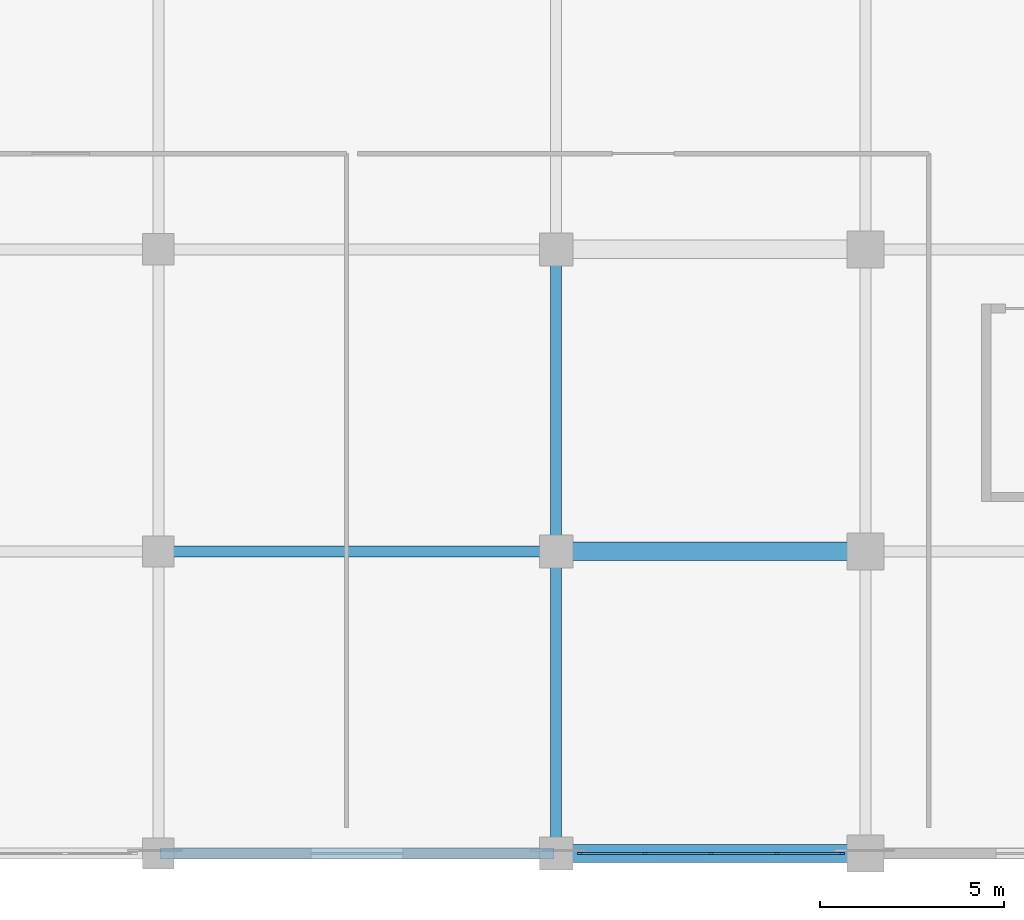
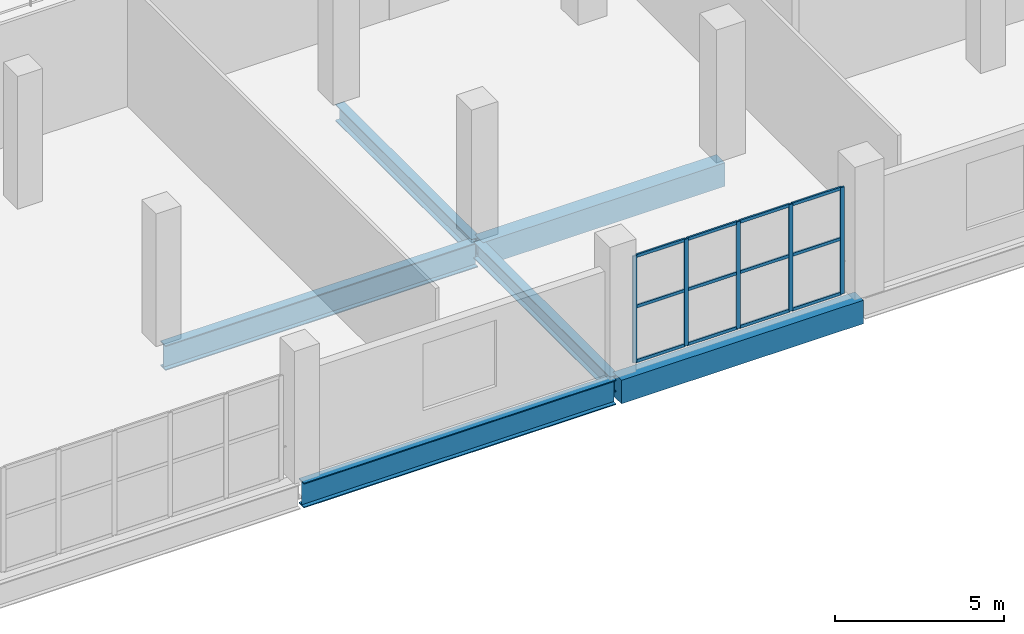
# One storey, part 15 of 142: 17 members, 6 beams, 1 element without a shape of its own.
"""IFC4 building model written with IfcOpenShell, lengths in metres."""

from ifc_helpers import new_model, si_unit, direction, frame, origin, origin_2d, place, context, subcontext, project, spatial, rectangle, i_section, extrude, material, material_profile, profile_set, type_object, element, aggregate, save


model = new_model("IFC4")

# Units and contexts
model_context = context("Model", 3, precision=1e-05, world=origin(), true_north=direction((0.0, 1.0)))
body_context = subcontext(model_context, "Body", "Model", "MODEL_VIEW")
ifc_project = project(units=[si_unit("LENGTHUNIT", "METRE"), si_unit("AREAUNIT", "SQUARE_METRE"), si_unit("VOLUMEUNIT", "CUBIC_METRE"), si_unit("PLANEANGLEUNIT", "RADIAN"), si_unit("MASSUNIT", "GRAM", prefix="KILO")], contexts=[model_context])

# Site, building, storey
site_placement = place(None, origin())
site = spatial("IfcSite", under=ifc_project, at=site_placement, CompositionType="ELEMENT")
building_placement = place(site_placement, origin())
building = spatial("IfcBuilding", under=site, at=building_placement, Name="Koshinbarg Plaza Stadium", CompositionType="ELEMENT")
storey_placement = place(building_placement, frame((0.0, 0.0, 10.199951171875)))
storey = spatial("IfcBuildingStorey", under=building, at=storey_placement, Name="L02", CompositionType="ELEMENT", Elevation=10.199951171875)

# Beams
ifc_material_1 = material(Name="Concrete C40/50", Category="concrete")
ifc_material_profile_1 = material_profile(ifc_material_1, rectangle(XDim=0.5, YDim=0.85009765625, at=origin_2d()), Name="RC 500x850")
ifc_profile_set_1 = profile_set([ifc_material_profile_1], Name="Concrete C40/50")
beam_type_1 = type_object("IfcBeamType", Name="BM-RCG-05", PredefinedType="USERDEFINED", material=ifc_profile_set_1)
for number, where, z_axis, x_axis, name in (
    (1, (46.260009765625, 0.0, -0.724853515625), (1.0, 0.0, 0.0), (0.0, 1.0, 0.0), "L02 X girder A/7-8"),
    (2, (46.260009765625, 8.199951171875, -0.724853515625), (1.0, 0.0, 0.0), (0.0, 1.0, 0.0), "L02 X girder B/7-8"),
):
    element("IfcBeam", number, at=place(storey_placement, frame(where, z_axis=z_axis, x_axis=x_axis)), inside=storey, type_object=beam_type_1, Name=name, ObjectType="GIRDER", PredefinedType="USERDEFINED", context=body_context, shape_type="SweptSolid", body=[
        extrude(rectangle(XDim=0.5, YDim=0.85009765625, at=origin_2d()), origin(), (0.0, 0.0, 1.0), 8.280029296875),
    ])
ifc_material_2 = material(Name="Steel S355", Category="steel")
ifc_material_profile_2 = material_profile(ifc_material_2, i_section(OverallWidth=0.300048828125, OverallDepth=0.60009765625, WebThickness=0.015380859375, FlangeThickness=0.030029296875, at=origin_2d()), Name="HEB 600")
ifc_profile_set_2 = profile_set([ifc_material_profile_2], Name="Steel S355")
beam_type_2 = type_object("IfcBeamType", Name="BM-SGIR-02", PredefinedType="USERDEFINED", material=ifc_profile_set_2)
beam_1_placement = place(storey_placement, frame((46.199951171875, 0.06005859375, -0.599853515625), z_axis=(0.0, 1.0, 0.0), x_axis=(-1.0, 0.0, 0.0)))
element("IfcBeam", 3, at=beam_1_placement, inside=storey, type_object=beam_type_2, Name="L02 Y girder 7/A-B", ObjectType="GIRDER", PredefinedType="USERDEFINED", context=body_context, shape_type="SweptSolid", body=[
    extrude(i_section(OverallWidth=0.300048828125, OverallDepth=0.60009765625, WebThickness=0.015380859375, FlangeThickness=0.030029296875, at=origin_2d()), origin(), (0.0, 0.0, 1.0), 8.079833984375),
])
beam_2_placement = place(storey_placement, frame((46.199951171875, 8.260009765625, -0.599853515625), z_axis=(0.0, 1.0, 0.0), x_axis=(-1.0, 0.0, 0.0)))
element("IfcBeam", 4, at=beam_2_placement, inside=storey, type_object=beam_type_2, Name="L02 Y girder 7/B-C", ObjectType="GIRDER", PredefinedType="USERDEFINED", context=body_context, shape_type="SweptSolid", body=[
    extrude(i_section(OverallWidth=0.300048828125, OverallDepth=0.60009765625, WebThickness=0.015380859375, FlangeThickness=0.030029296875, at=origin_2d()), origin(), (0.0, 0.0, 1.0), 8.080078125),
])
ifc_material_profile_3 = material_profile(ifc_material_2, i_section(OverallWidth=0.300048828125, OverallDepth=0.89990234375, WebThickness=0.0185546875, FlangeThickness=0.034912109375, at=origin_2d()), Name="HEB 900")
ifc_profile_set_3 = profile_set([ifc_material_profile_3], Name="Steel S355")
beam_type_3 = type_object("IfcBeamType", Name="BM-SGIR-05", PredefinedType="USERDEFINED", material=ifc_profile_set_3)
for number, where, z_axis, x_axis, name in (
    (5, (35.4599609375, 0.0, -0.75), (1.0, 0.0, 0.0), (0.0, 1.0, 0.0), "L02 X girder A/6-7"),
    (6, (35.4599609375, 8.199951171875, -0.75), (1.0, 0.0, 0.0), (0.0, 1.0, 0.0), "L02 X girder B/6-7"),
):
    element("IfcBeam", number, at=place(storey_placement, frame(where, z_axis=z_axis, x_axis=x_axis)), inside=storey, type_object=beam_type_3, Name=name, ObjectType="GIRDER", PredefinedType="USERDEFINED", context=body_context, shape_type="SweptSolid", body=[
        extrude(i_section(OverallWidth=0.300048828125, OverallDepth=0.89990234375, WebThickness=0.0185546875, FlangeThickness=0.034912109375, at=origin_2d()), origin(), (0.0, 0.0, 1.0), 10.679931640625),
    ])

# Curtain wall, members
ifc_material_3 = material(Name="Thermally broken anodised aluminium and low-E double glazing", Category="aluminium")
curtain_wall_type = type_object("IfcCurtainWallType", Name="CW-SYS-05", PredefinedType="NOTDEFINED", material=ifc_material_3)
curtain_wall_placement = place(storey_placement, origin())
curtain_wall = element("IfcCurtainWall", 7, at=curtain_wall_placement, inside=storey, type_object=curtain_wall_type, Name="L02 unitised curtain wall CW-L02-068", PredefinedType="NOTDEFINED")
ifc_material_4 = material(Name="Anodised aluminium mullion", Category="aluminium")
ifc_material_profile_4 = material_profile(ifc_material_4, rectangle(XDim=0.06005859375, YDim=0.139892578125, at=origin_2d()), Name="ALU 60x140")
ifc_profile_set_4 = profile_set([ifc_material_profile_4], Name="Anodised aluminium mullion")
member_type_1 = type_object("IfcMemberType", Name="CW-MUL-01", PredefinedType="MULLION", material=ifc_profile_set_4)
member_1_placement = place(storey_placement, frame((53.949951171875, 0.0, 0.0), z_axis=(0.0, 0.0, 1.0), x_axis=(0.0, -1.0, 0.0)))
member_1 = element("IfcMember", 8, at=member_1_placement, type_object=member_type_1, Name="CW05 mullion 1", PredefinedType="MULLION", context=body_context, shape_type="SweptSolid", body=[
    extrude(rectangle(XDim=0.06005859375, YDim=0.139892578125, at=origin_2d()), origin(), (0.0, 0.0, 1.0), 3.860107421875),
])
member_2_placement = place(storey_placement, frame((52.18994140625, 0.0, 0.0), z_axis=(0.0, 0.0, 1.0), x_axis=(0.0, -1.0, 0.0)))
member_2 = element("IfcMember", 9, at=member_2_placement, type_object=member_type_1, Name="CW05 mullion 2", PredefinedType="MULLION", context=body_context, shape_type="SweptSolid", body=[
    extrude(rectangle(XDim=0.06005859375, YDim=0.139892578125, at=origin_2d()), origin(), (0.0, 0.0, 1.0), 3.860107421875),
])
member_3_placement = place(storey_placement, frame((50.39990234375, 0.0, 0.0), z_axis=(0.0, 0.0, 1.0), x_axis=(0.0, -1.0, 0.0)))
member_3 = element("IfcMember", 10, at=member_3_placement, type_object=member_type_1, Name="CW05 mullion 3", PredefinedType="MULLION", context=body_context, shape_type="SweptSolid", body=[
    extrude(rectangle(XDim=0.06005859375, YDim=0.139892578125, at=origin_2d()), origin(), (0.0, 0.0, 1.0), 3.860107421875),
])
member_4_placement = place(storey_placement, frame((48.610107421875, 0.0, 0.0), z_axis=(0.0, 0.0, 1.0), x_axis=(0.0, -1.0, 0.0)))
member_4 = element("IfcMember", 11, at=member_4_placement, type_object=member_type_1, Name="CW05 mullion 4", PredefinedType="MULLION", context=body_context, shape_type="SweptSolid", body=[
    extrude(rectangle(XDim=0.06005859375, YDim=0.139892578125, at=origin_2d()), origin(), (0.0, 0.0, 1.0), 3.860107421875),
])
member_5_placement = place(storey_placement, frame((46.85009765625, 0.0, 0.0), z_axis=(0.0, 0.0, 1.0), x_axis=(0.0, -1.0, 0.0)))
member_5 = element("IfcMember", 12, at=member_5_placement, type_object=member_type_1, Name="CW05 mullion 5", PredefinedType="MULLION", context=body_context, shape_type="SweptSolid", body=[
    extrude(rectangle(XDim=0.06005859375, YDim=0.139892578125, at=origin_2d()), origin(), (0.0, 0.0, 1.0), 3.860107421875),
])
ifc_material_5 = material(Name="Anodised aluminium transom", Category="aluminium")
ifc_material_profile_5 = material_profile(ifc_material_5, rectangle(XDim=0.06005859375, YDim=0.110107421875, at=origin_2d()), Name="ALU 60x110")
ifc_profile_set_5 = profile_set([ifc_material_profile_5], Name="Anodised aluminium transom")
member_type_2 = type_object("IfcMemberType", Name="CW-TRN-01", PredefinedType="USERDEFINED", material=ifc_profile_set_5)
member_6_placement = place(storey_placement, frame((53.919921875, 0.0, 0.030029296875), z_axis=(-1.0, 0.0, 0.0), x_axis=(0.0, -1.0, 0.0)))
member_6 = element("IfcMember", 13, at=member_6_placement, type_object=member_type_2, Name="CW05 transom 1.1", ObjectType="TRANSOM", PredefinedType="USERDEFINED", context=body_context, shape_type="SweptSolid", body=[
    extrude(rectangle(XDim=0.06005859375, YDim=0.110107421875, at=origin_2d()), origin(), (0.0, 0.0, 1.0), 1.699951171875),
])
member_7_placement = place(storey_placement, frame((53.919921875, 0.0, 2.00732421875), z_axis=(-1.0, 0.0, 0.0), x_axis=(0.0, -1.0, 0.0)))
member_7 = element("IfcMember", 14, at=member_7_placement, type_object=member_type_2, Name="CW05 transom 1.2", ObjectType="TRANSOM", PredefinedType="USERDEFINED", context=body_context, shape_type="SweptSolid", body=[
    extrude(rectangle(XDim=0.06005859375, YDim=0.110107421875, at=origin_2d()), origin(), (0.0, 0.0, 1.0), 1.699951171875),
])
member_8_placement = place(storey_placement, frame((53.919921875, 0.0, 3.830078125), z_axis=(-1.0, 0.0, 0.0), x_axis=(0.0, -1.0, 0.0)))
member_8 = element("IfcMember", 15, at=member_8_placement, type_object=member_type_2, Name="CW05 transom 1.3", ObjectType="TRANSOM", PredefinedType="USERDEFINED", context=body_context, shape_type="SweptSolid", body=[
    extrude(rectangle(XDim=0.06005859375, YDim=0.110107421875, at=origin_2d()), origin(), (0.0, 0.0, 1.0), 1.699951171875),
])
member_9_placement = place(storey_placement, frame((52.159912109375, 0.0, 0.030029296875), z_axis=(-1.0, 0.0, 0.0), x_axis=(0.0, -1.0, 0.0)))
member_9 = element("IfcMember", 16, at=member_9_placement, type_object=member_type_2, Name="CW05 transom 2.1", ObjectType="TRANSOM", PredefinedType="USERDEFINED", context=body_context, shape_type="SweptSolid", body=[
    extrude(rectangle(XDim=0.06005859375, YDim=0.110107421875, at=origin_2d()), origin(), (0.0, 0.0, 1.0), 1.72998046875),
])
member_10_placement = place(storey_placement, frame((52.159912109375, 0.0, 2.00732421875), z_axis=(-1.0, 0.0, 0.0), x_axis=(0.0, -1.0, 0.0)))
member_10 = element("IfcMember", 17, at=member_10_placement, type_object=member_type_2, Name="CW05 transom 2.2", ObjectType="TRANSOM", PredefinedType="USERDEFINED", context=body_context, shape_type="SweptSolid", body=[
    extrude(rectangle(XDim=0.06005859375, YDim=0.110107421875, at=origin_2d()), origin(), (0.0, 0.0, 1.0), 1.72998046875),
])
member_11_placement = place(storey_placement, frame((52.159912109375, 0.0, 3.830078125), z_axis=(-1.0, 0.0, 0.0), x_axis=(0.0, -1.0, 0.0)))
member_11 = element("IfcMember", 18, at=member_11_placement, type_object=member_type_2, Name="CW05 transom 2.3", ObjectType="TRANSOM", PredefinedType="USERDEFINED", context=body_context, shape_type="SweptSolid", body=[
    extrude(rectangle(XDim=0.06005859375, YDim=0.110107421875, at=origin_2d()), origin(), (0.0, 0.0, 1.0), 1.72998046875),
])
member_12_placement = place(storey_placement, frame((50.3701171875, 0.0, 0.030029296875), z_axis=(-1.0, 0.0, 0.0), x_axis=(0.0, -1.0, 0.0)))
member_12 = element("IfcMember", 19, at=member_12_placement, type_object=member_type_2, Name="CW05 transom 3.1", ObjectType="TRANSOM", PredefinedType="USERDEFINED", context=body_context, shape_type="SweptSolid", body=[
    extrude(rectangle(XDim=0.06005859375, YDim=0.110107421875, at=origin_2d()), origin(), (0.0, 0.0, 1.0), 1.730224609375),
])
member_13_placement = place(storey_placement, frame((50.3701171875, 0.0, 2.00732421875), z_axis=(-1.0, 0.0, 0.0), x_axis=(0.0, -1.0, 0.0)))
member_13 = element("IfcMember", 20, at=member_13_placement, type_object=member_type_2, Name="CW05 transom 3.2", ObjectType="TRANSOM", PredefinedType="USERDEFINED", context=body_context, shape_type="SweptSolid", body=[
    extrude(rectangle(XDim=0.06005859375, YDim=0.110107421875, at=origin_2d()), origin(), (0.0, 0.0, 1.0), 1.730224609375),
])
member_14_placement = place(storey_placement, frame((50.3701171875, 0.0, 3.830078125), z_axis=(-1.0, 0.0, 0.0), x_axis=(0.0, -1.0, 0.0)))
member_14 = element("IfcMember", 21, at=member_14_placement, type_object=member_type_2, Name="CW05 transom 3.3", ObjectType="TRANSOM", PredefinedType="USERDEFINED", context=body_context, shape_type="SweptSolid", body=[
    extrude(rectangle(XDim=0.06005859375, YDim=0.110107421875, at=origin_2d()), origin(), (0.0, 0.0, 1.0), 1.730224609375),
])
member_15_placement = place(storey_placement, frame((48.580078125, 0.0, 0.030029296875), z_axis=(-1.0, 0.0, 0.0), x_axis=(0.0, -1.0, 0.0)))
member_15 = element("IfcMember", 22, at=member_15_placement, type_object=member_type_2, Name="CW05 transom 4.1", ObjectType="TRANSOM", PredefinedType="USERDEFINED", context=body_context, shape_type="SweptSolid", body=[
    extrude(rectangle(XDim=0.06005859375, YDim=0.110107421875, at=origin_2d()), origin(), (0.0, 0.0, 1.0), 1.7001953125),
])
member_16_placement = place(storey_placement, frame((48.580078125, 0.0, 2.00732421875), z_axis=(-1.0, 0.0, 0.0), x_axis=(0.0, -1.0, 0.0)))
member_16 = element("IfcMember", 23, at=member_16_placement, type_object=member_type_2, Name="CW05 transom 4.2", ObjectType="TRANSOM", PredefinedType="USERDEFINED", context=body_context, shape_type="SweptSolid", body=[
    extrude(rectangle(XDim=0.06005859375, YDim=0.110107421875, at=origin_2d()), origin(), (0.0, 0.0, 1.0), 1.7001953125),
])
member_17_placement = place(storey_placement, frame((48.580078125, 0.0, 3.830078125), z_axis=(-1.0, 0.0, 0.0), x_axis=(0.0, -1.0, 0.0)))
member_17 = element("IfcMember", 24, at=member_17_placement, type_object=member_type_2, Name="CW05 transom 4.3", ObjectType="TRANSOM", PredefinedType="USERDEFINED", context=body_context, shape_type="SweptSolid", body=[
    extrude(rectangle(XDim=0.06005859375, YDim=0.110107421875, at=origin_2d()), origin(), (0.0, 0.0, 1.0), 1.7001953125),
])
aggregate(curtain_wall, [member_1, member_2, member_3, member_4, member_5, member_6, member_7, member_8, member_9, member_10, member_11, member_12, member_13, member_14, member_15, member_16, member_17])

save(model, "model.ifc")
